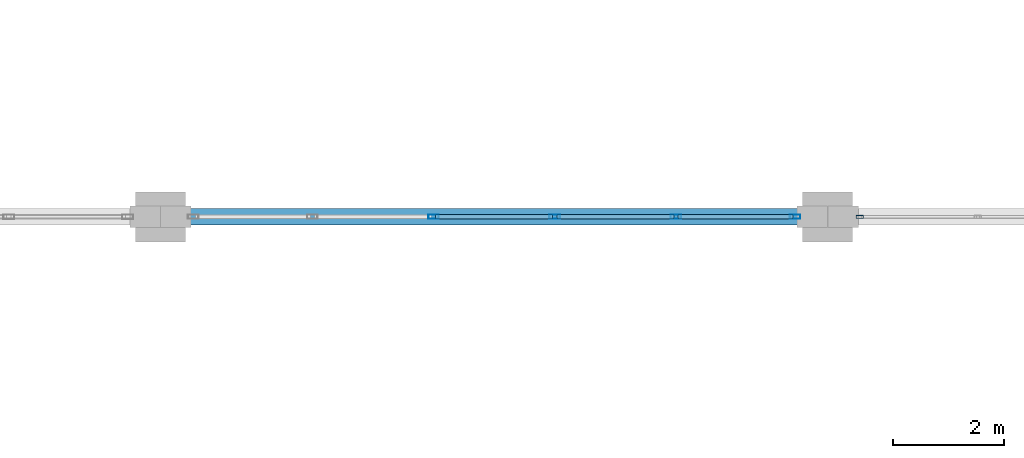
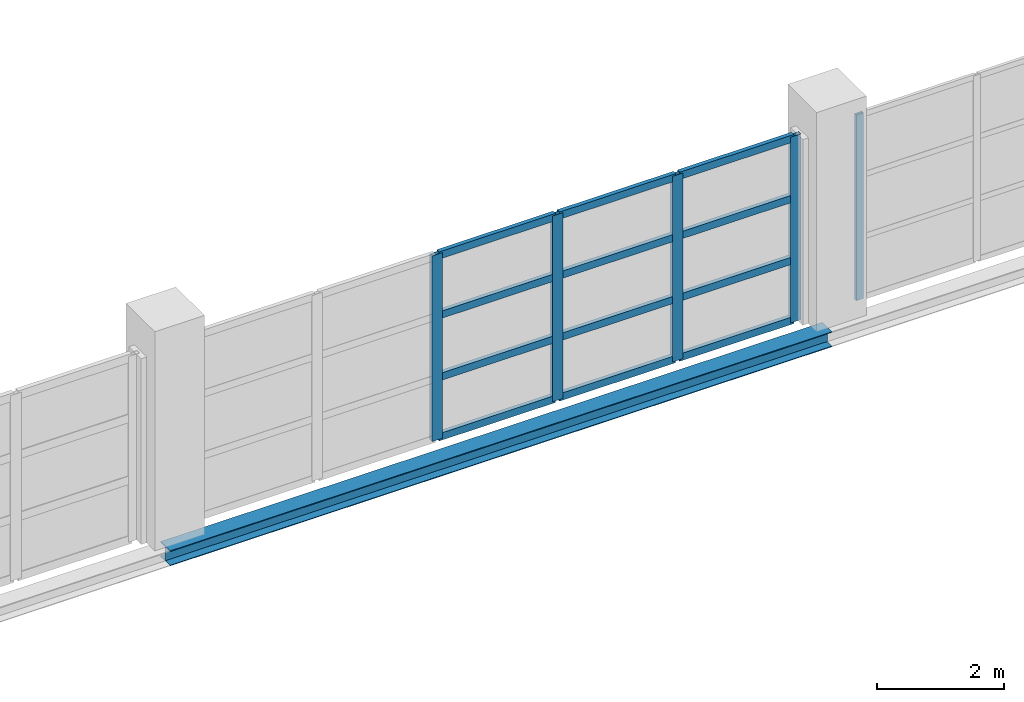
# One storey, part 76 of 158: 17 members, 1 beam, 2 elements without a shape of their own.
"""IFC4 building model written with IfcOpenShell, lengths in metres."""

from ifc_helpers import new_model, si_unit, direction, frame, origin, origin_2d, place, context, subcontext, project, spatial, hollow_rectangle, i_section, extrude, material, layer, layer_set, material_profile, profile_set, type_object, element, aggregate, save


model = new_model("IFC4")

# Units and contexts
model_context = context("Model", 3, precision=1e-05, world=origin(), true_north=direction((0.0, 1.0)))
body_context = subcontext(model_context, "Body", "Model", "MODEL_VIEW")
ifc_project = project(units=[si_unit("LENGTHUNIT", "METRE"), si_unit("AREAUNIT", "SQUARE_METRE"), si_unit("VOLUMEUNIT", "CUBIC_METRE"), si_unit("PLANEANGLEUNIT", "RADIAN"), si_unit("MASSUNIT", "GRAM", prefix="KILO")], contexts=[model_context])

# Site, building, storey
site_placement = place(None, origin())
site = spatial("IfcSite", under=ifc_project, at=site_placement, CompositionType="ELEMENT")
building_placement = place(site_placement, origin())
building = spatial("IfcBuilding", under=site, at=building_placement, Name="Zilviju Railside Exhibition Hall", CompositionType="ELEMENT")
storey_placement = place(building_placement, frame((0.0, 0.0, 4.199951171875)))
storey = spatial("IfcBuildingStorey", under=building, at=storey_placement, Name="L02", CompositionType="ELEMENT", Elevation=4.199951171875)

# Beam
ifc_material_1 = material(Name="Steel S355J2", Category="steel")
ifc_material_profile_1 = material_profile(ifc_material_1, i_section(OverallWidth=0.300048828125, OverallDepth=0.2900390625, WebThickness=0.008544921875, FlangeThickness=0.013916015625, at=origin_2d()), Name="HEA 300")
ifc_profile_set_1 = profile_set([ifc_material_profile_1], Name="Steel S355J2")
beam_type = type_object("IfcBeamType", Name="BM-HEA300", PredefinedType="SPANDREL", material=ifc_profile_set_1)
beam_placement = place(storey_placement, frame((156.0, 54.0, -0.48486328125), z_axis=(1.0, 0.0, 0.0), x_axis=(0.0, 1.0, 0.0)))
element("IfcBeam", 1, at=beam_placement, inside=storey, type_object=beam_type, Name="Primary Girder L02 Y=54.0 (156.0..168.0)", PredefinedType="SPANDREL", context=body_context, shape_type="SweptSolid", body=[
    extrude(i_section(OverallWidth=0.300048828125, OverallDepth=0.2900390625, WebThickness=0.008544921875, FlangeThickness=0.013916015625, at=origin_2d()), origin(), (0.0, 0.0, 1.0), 12.0),
])

# Curtain wall, member
ifc_material_2 = material(Name="Thermally broken aluminium-steel triple-glazed curtain wall", Category="steel")
ifc_layer_1 = layer(ifc_material_2, 0.179931640625)
ifc_layer_set_1 = layer_set([ifc_layer_1], Name="Thermally broken aluminium-steel triple-glazed curtain wall")
curtain_wall_type_1 = type_object("IfcCurtainWallType", Name="CW-BAY-04", PredefinedType="USERDEFINED", material=ifc_layer_set_1)
curtain_wall_1_placement = place(storey_placement, origin())
curtain_wall_1 = element("IfcCurtainWall", 2, at=curtain_wall_1_placement, inside=storey, type_object=curtain_wall_type_1, Name="South Hall Garden Court Curtain Wall L02 (168..173)", ObjectType="GLAZED CURTAIN WALL", PredefinedType="USERDEFINED")
ifc_material_3 = material(Name="Thermally broken anodized aluminium mullion", Category="aluminium")
ifc_material_profile_2 = material_profile(ifc_material_3, hollow_rectangle(XDim=0.054931640625, YDim=0.1298828125, WallThickness=0.0048828125, at=origin_2d()), Name="MULLION 130x55x5")
ifc_profile_set_2 = profile_set([ifc_material_profile_2], Name="Thermally broken anodized aluminium mullion")
member_type_1 = type_object("IfcMemberType", Name="CWM-55x130", PredefinedType="MULLION", material=ifc_profile_set_2)
member_1_placement = place(storey_placement, frame((168.577392578125, 54.0, 0.0), z_axis=(0.0, 0.0, 1.0), x_axis=(0.0, 1.0, 0.0)))
member_1 = element("IfcMember", 3, at=member_1_placement, type_object=member_type_1, Name="CW-04 mullion 1", PredefinedType="MULLION", context=body_context, shape_type="SweptSolid", body=[
    extrude(hollow_rectangle(XDim=0.054931640625, YDim=0.1298828125, WallThickness=0.0048828125, at=origin_2d()), origin(), (0.0, 0.0, 1.0), 3.56005859375),
])
aggregate(curtain_wall_1, [member_1])

# Curtain wall, members
ifc_layer_2 = layer(ifc_material_2, 0.179931640625)
ifc_layer_set_2 = layer_set([ifc_layer_2], Name="Thermally broken aluminium-steel triple-glazed curtain wall")
curtain_wall_type_2 = type_object("IfcCurtainWallType", Name="CW-BAY-03", PredefinedType="USERDEFINED", material=ifc_layer_set_2)
curtain_wall_2_placement = place(storey_placement, origin())
curtain_wall_2 = element("IfcCurtainWall", 4, at=curtain_wall_2_placement, inside=storey, type_object=curtain_wall_type_2, Name="South Hall Garden Court Curtain Wall L02 (156..168)", ObjectType="GLAZED CURTAIN WALL", PredefinedType="USERDEFINED")
ifc_material_profile_3 = material_profile(ifc_material_3, hollow_rectangle(XDim=0.074951171875, YDim=0.18994140625, WallThickness=0.0048828125, at=origin_2d()), Name="MULLION 190x75x5")
ifc_profile_set_3 = profile_set([ifc_material_profile_3], Name="Thermally broken anodized aluminium mullion")
member_type_2 = type_object("IfcMemberType", Name="CWM-75x190", PredefinedType="MULLION", material=ifc_profile_set_3)
member_2_placement = place(storey_placement, frame((160.909912109375, 54.0, 0.0), z_axis=(0.0, 0.0, 1.0), x_axis=(0.0, 1.0, 0.0)))
member_2 = element("IfcMember", 5, at=member_2_placement, type_object=member_type_2, Name="CW-03 mullion 3", PredefinedType="MULLION", context=body_context, shape_type="SweptSolid", body=[
    extrude(hollow_rectangle(XDim=0.074951171875, YDim=0.18994140625, WallThickness=0.0048828125, at=origin_2d()), origin(), (0.0, 0.0, 1.0), 3.56005859375),
])
member_3_placement = place(storey_placement, frame((163.090087890625, 54.0, 0.0), z_axis=(0.0, 0.0, 1.0), x_axis=(0.0, 1.0, 0.0)))
member_3 = element("IfcMember", 6, at=member_3_placement, type_object=member_type_2, Name="CW-03 mullion 4", PredefinedType="MULLION", context=body_context, shape_type="SweptSolid", body=[
    extrude(hollow_rectangle(XDim=0.074951171875, YDim=0.18994140625, WallThickness=0.0048828125, at=origin_2d()), origin(), (0.0, 0.0, 1.0), 3.56005859375),
])
member_4_placement = place(storey_placement, frame((165.27001953125, 54.0, 0.0), z_axis=(0.0, 0.0, 1.0), x_axis=(0.0, 1.0, 0.0)))
member_4 = element("IfcMember", 7, at=member_4_placement, type_object=member_type_2, Name="CW-03 mullion 5", PredefinedType="MULLION", context=body_context, shape_type="SweptSolid", body=[
    extrude(hollow_rectangle(XDim=0.074951171875, YDim=0.18994140625, WallThickness=0.0048828125, at=origin_2d()), origin(), (0.0, 0.0, 1.0), 3.56005859375),
])
member_5_placement = place(storey_placement, frame((167.41259765625, 54.0, 0.0), z_axis=(0.0, 0.0, 1.0), x_axis=(0.0, 1.0, 0.0)))
member_5 = element("IfcMember", 8, at=member_5_placement, type_object=member_type_2, Name="CW-03 mullion 6", PredefinedType="MULLION", context=body_context, shape_type="SweptSolid", body=[
    extrude(hollow_rectangle(XDim=0.074951171875, YDim=0.18994140625, WallThickness=0.0048828125, at=origin_2d()), origin(), (0.0, 0.0, 1.0), 3.56005859375),
])
ifc_material_4 = material(Name="Thermally broken anodized aluminium transom", Category="aluminium")
ifc_material_profile_4 = material_profile(ifc_material_4, hollow_rectangle(XDim=0.074951171875, YDim=0.139892578125, WallThickness=0.0048828125, at=origin_2d()), Name="TRANSOM 140x75x5")
ifc_profile_set_4 = profile_set([ifc_material_profile_4], Name="Thermally broken anodized aluminium transom")
member_type_3 = type_object("IfcMemberType", Name="CWT-75x140", PredefinedType="USERDEFINED", material=ifc_profile_set_4)
member_6_placement = place(storey_placement, frame((160.947509765625, 54.0, 0.03759765625), z_axis=(1.0, 0.0, 0.0), x_axis=(0.0, 1.0, 0.0)))
member_6 = element("IfcMember", 9, at=member_6_placement, type_object=member_type_3, Name="CW-03 transom 3.1", ObjectType="TRANSOM", PredefinedType="USERDEFINED", context=body_context, shape_type="SweptSolid", body=[
    extrude(hollow_rectangle(XDim=0.074951171875, YDim=0.139892578125, WallThickness=0.0048828125, at=origin_2d()), origin(), (0.0, 0.0, 1.0), 2.10498046875),
])
member_7_placement = place(storey_placement, frame((160.947509765625, 54.0, 1.18701171875), z_axis=(1.0, 0.0, 0.0), x_axis=(0.0, 1.0, 0.0)))
member_7 = element("IfcMember", 10, at=member_7_placement, type_object=member_type_3, Name="CW-03 transom 3.2", ObjectType="TRANSOM", PredefinedType="USERDEFINED", context=body_context, shape_type="SweptSolid", body=[
    extrude(hollow_rectangle(XDim=0.074951171875, YDim=0.139892578125, WallThickness=0.0048828125, at=origin_2d()), origin(), (0.0, 0.0, 1.0), 2.10498046875),
])
member_8_placement = place(storey_placement, frame((160.947509765625, 54.0, 2.373046875), z_axis=(1.0, 0.0, 0.0), x_axis=(0.0, 1.0, 0.0)))
member_8 = element("IfcMember", 11, at=member_8_placement, type_object=member_type_3, Name="CW-03 transom 3.3", ObjectType="TRANSOM", PredefinedType="USERDEFINED", context=body_context, shape_type="SweptSolid", body=[
    extrude(hollow_rectangle(XDim=0.074951171875, YDim=0.139892578125, WallThickness=0.0048828125, at=origin_2d()), origin(), (0.0, 0.0, 1.0), 2.10498046875),
])
member_9_placement = place(storey_placement, frame((160.947509765625, 54.0, 3.5224609375), z_axis=(1.0, 0.0, 0.0), x_axis=(0.0, 1.0, 0.0)))
member_9 = element("IfcMember", 12, at=member_9_placement, type_object=member_type_3, Name="CW-03 transom 3.4", ObjectType="TRANSOM", PredefinedType="USERDEFINED", context=body_context, shape_type="SweptSolid", body=[
    extrude(hollow_rectangle(XDim=0.074951171875, YDim=0.139892578125, WallThickness=0.0048828125, at=origin_2d()), origin(), (0.0, 0.0, 1.0), 2.10498046875),
])
member_10_placement = place(storey_placement, frame((163.12744140625, 54.0, 0.03759765625), z_axis=(1.0, 0.0, 0.0), x_axis=(0.0, 1.0, 0.0)))
member_10 = element("IfcMember", 13, at=member_10_placement, type_object=member_type_3, Name="CW-03 transom 4.1", ObjectType="TRANSOM", PredefinedType="USERDEFINED", context=body_context, shape_type="SweptSolid", body=[
    extrude(hollow_rectangle(XDim=0.074951171875, YDim=0.139892578125, WallThickness=0.0048828125, at=origin_2d()), origin(), (0.0, 0.0, 1.0), 2.10498046875),
])
member_11_placement = place(storey_placement, frame((163.12744140625, 54.0, 1.18701171875), z_axis=(1.0, 0.0, 0.0), x_axis=(0.0, 1.0, 0.0)))
member_11 = element("IfcMember", 14, at=member_11_placement, type_object=member_type_3, Name="CW-03 transom 4.2", ObjectType="TRANSOM", PredefinedType="USERDEFINED", context=body_context, shape_type="SweptSolid", body=[
    extrude(hollow_rectangle(XDim=0.074951171875, YDim=0.139892578125, WallThickness=0.0048828125, at=origin_2d()), origin(), (0.0, 0.0, 1.0), 2.10498046875),
])
member_12_placement = place(storey_placement, frame((163.12744140625, 54.0, 2.373046875), z_axis=(1.0, 0.0, 0.0), x_axis=(0.0, 1.0, 0.0)))
member_12 = element("IfcMember", 15, at=member_12_placement, type_object=member_type_3, Name="CW-03 transom 4.3", ObjectType="TRANSOM", PredefinedType="USERDEFINED", context=body_context, shape_type="SweptSolid", body=[
    extrude(hollow_rectangle(XDim=0.074951171875, YDim=0.139892578125, WallThickness=0.0048828125, at=origin_2d()), origin(), (0.0, 0.0, 1.0), 2.10498046875),
])
member_13_placement = place(storey_placement, frame((163.12744140625, 54.0, 3.5224609375), z_axis=(1.0, 0.0, 0.0), x_axis=(0.0, 1.0, 0.0)))
member_13 = element("IfcMember", 16, at=member_13_placement, type_object=member_type_3, Name="CW-03 transom 4.4", ObjectType="TRANSOM", PredefinedType="USERDEFINED", context=body_context, shape_type="SweptSolid", body=[
    extrude(hollow_rectangle(XDim=0.074951171875, YDim=0.139892578125, WallThickness=0.0048828125, at=origin_2d()), origin(), (0.0, 0.0, 1.0), 2.10498046875),
])
member_14_placement = place(storey_placement, frame((165.3076171875, 54.0, 0.03759765625), z_axis=(1.0, 0.0, 0.0), x_axis=(0.0, 1.0, 0.0)))
member_14 = element("IfcMember", 17, at=member_14_placement, type_object=member_type_3, Name="CW-03 transom 5.1", ObjectType="TRANSOM", PredefinedType="USERDEFINED", context=body_context, shape_type="SweptSolid", body=[
    extrude(hollow_rectangle(XDim=0.074951171875, YDim=0.139892578125, WallThickness=0.0048828125, at=origin_2d()), origin(), (0.0, 0.0, 1.0), 2.0673828125),
])
member_15_placement = place(storey_placement, frame((165.3076171875, 54.0, 1.18701171875), z_axis=(1.0, 0.0, 0.0), x_axis=(0.0, 1.0, 0.0)))
member_15 = element("IfcMember", 18, at=member_15_placement, type_object=member_type_3, Name="CW-03 transom 5.2", ObjectType="TRANSOM", PredefinedType="USERDEFINED", context=body_context, shape_type="SweptSolid", body=[
    extrude(hollow_rectangle(XDim=0.074951171875, YDim=0.139892578125, WallThickness=0.0048828125, at=origin_2d()), origin(), (0.0, 0.0, 1.0), 2.0673828125),
])
member_16_placement = place(storey_placement, frame((165.3076171875, 54.0, 2.373046875), z_axis=(1.0, 0.0, 0.0), x_axis=(0.0, 1.0, 0.0)))
member_16 = element("IfcMember", 19, at=member_16_placement, type_object=member_type_3, Name="CW-03 transom 5.3", ObjectType="TRANSOM", PredefinedType="USERDEFINED", context=body_context, shape_type="SweptSolid", body=[
    extrude(hollow_rectangle(XDim=0.074951171875, YDim=0.139892578125, WallThickness=0.0048828125, at=origin_2d()), origin(), (0.0, 0.0, 1.0), 2.0673828125),
])
member_17_placement = place(storey_placement, frame((165.3076171875, 54.0, 3.5224609375), z_axis=(1.0, 0.0, 0.0), x_axis=(0.0, 1.0, 0.0)))
member_17 = element("IfcMember", 20, at=member_17_placement, type_object=member_type_3, Name="CW-03 transom 5.4", ObjectType="TRANSOM", PredefinedType="USERDEFINED", context=body_context, shape_type="SweptSolid", body=[
    extrude(hollow_rectangle(XDim=0.074951171875, YDim=0.139892578125, WallThickness=0.0048828125, at=origin_2d()), origin(), (0.0, 0.0, 1.0), 2.0673828125),
])
aggregate(curtain_wall_2, [member_2, member_3, member_4, member_5, member_6, member_7, member_8, member_9, member_10, member_11, member_12, member_13, member_14, member_15, member_16, member_17])

save(model, "model.ifc")
